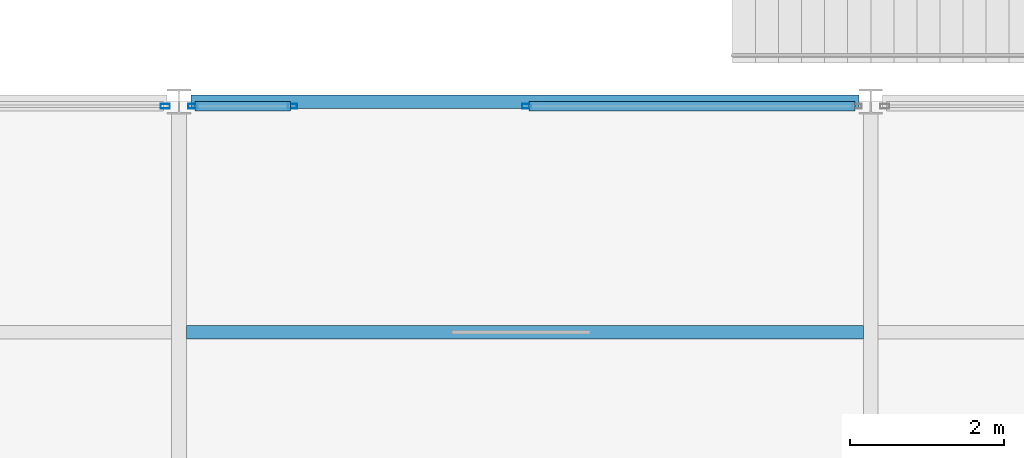
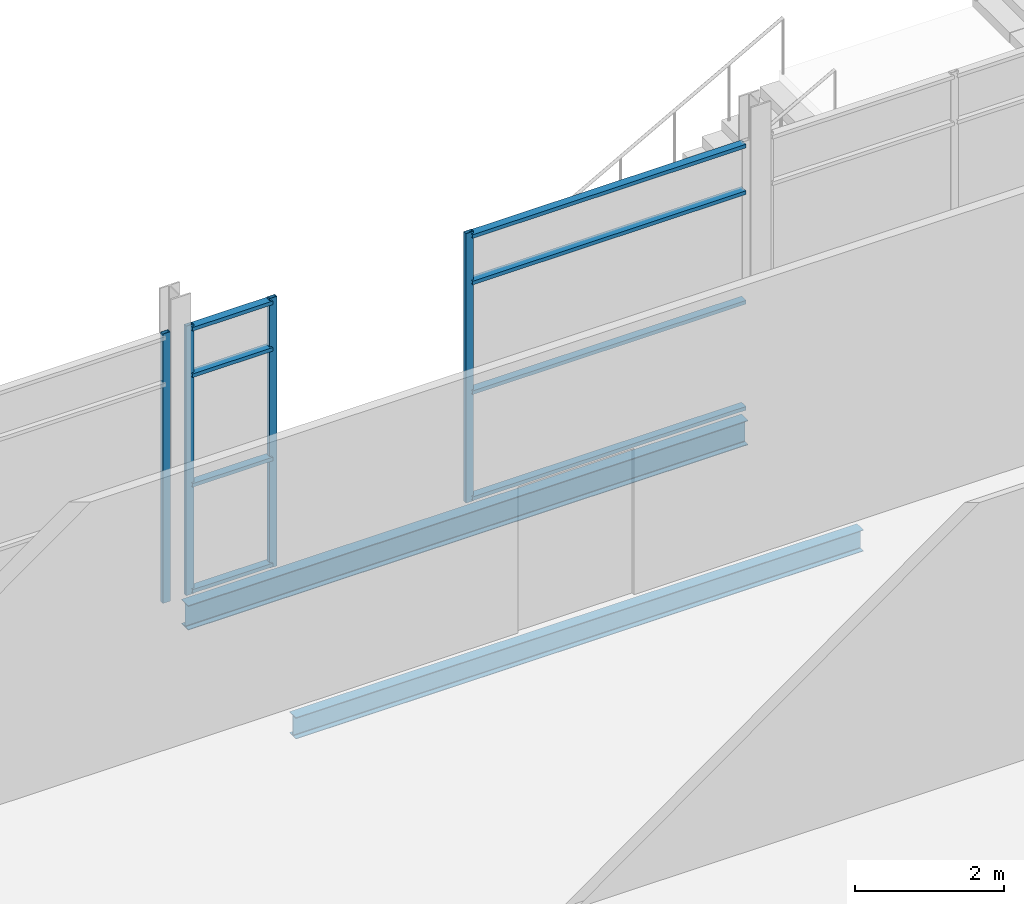
# One storey, part 24 of 112: 12 members, 2 beams, 3 elements without a shape of their own.
"""IFC4 building model written with IfcOpenShell, lengths in metres."""

from ifc_helpers import new_model, si_unit, direction, frame, origin, origin_2d, place, context, subcontext, project, spatial, hollow_rectangle, i_section, extrude, material, layer, layer_set, material_profile, profile_set, type_object, element, aggregate, save


model = new_model("IFC4")

# Units and contexts
model_context = context("Model", 3, precision=1e-05, world=origin(), true_north=direction((0.0, 1.0)))
body_context = subcontext(model_context, "Body", "Model", "MODEL_VIEW")
ifc_project = project(units=[si_unit("LENGTHUNIT", "METRE"), si_unit("AREAUNIT", "SQUARE_METRE"), si_unit("VOLUMEUNIT", "CUBIC_METRE"), si_unit("PLANEANGLEUNIT", "RADIAN"), si_unit("MASSUNIT", "GRAM", prefix="KILO")], contexts=[model_context])

# Site, building, storey
site_placement = place(None, origin())
site = spatial("IfcSite", under=ifc_project, at=site_placement, CompositionType="ELEMENT")
building_placement = place(site_placement, origin())
building = spatial("IfcBuilding", under=site, at=building_placement, Name="Shorebreak Coast Museum", CompositionType="ELEMENT")
storey_placement = place(building_placement, frame((0.0, 0.0, 6.0)))
storey = spatial("IfcBuildingStorey", under=building, at=storey_placement, Name="L01", CompositionType="ELEMENT", Elevation=6.0)

# Beams
ifc_material_1 = material(Name="Steel Grade 300", Category="steel")
ifc_material_profile_1 = material_profile(ifc_material_1, i_section(OverallWidth=0.177978515625, OverallDepth=0.402587890625, WebThickness=0.007568359375, FlangeThickness=0.010986328125, FilletRadius=0.011474609375, at=origin_2d()), Name="410UB53.7")
ifc_profile_set_1 = profile_set([ifc_material_profile_1], Name="Steel Grade 300")
beam_type_1 = type_object("IfcBeamType", Name="Floor girder east-west 410UB53.7", PredefinedType="BEAM", material=ifc_profile_set_1)
beam_1_placement = place(storey_placement, frame((81.155517578125, 63.0, -0.376220703125), z_axis=(1.0, 0.0, 0.0), x_axis=(0.0, 1.0, 0.0)))
element("IfcBeam", 1, at=beam_1_placement, inside=storey, type_object=beam_type_1, Name="Floor girder east-west L01 10H", PredefinedType="BEAM", context=body_context, shape_type="SweptSolid", body=[
    extrude(i_section(OverallWidth=0.177978515625, OverallDepth=0.402587890625, WebThickness=0.007568359375, FlangeThickness=0.010986328125, FilletRadius=0.011474609375, at=origin_2d()), origin(), (0.0, 0.0, 1.0), 8.68896484375),
])
ifc_material_2 = material(Name="Steel Grade 300", Category="steel")
ifc_material_profile_2 = material_profile(ifc_material_2, i_section(OverallWidth=0.1708984375, OverallDepth=0.35205078125, WebThickness=0.0068359375, FlangeThickness=0.009765625, FilletRadius=0.011474609375, at=origin_2d()), Name="360UB44.7")
ifc_profile_set_2 = profile_set([ifc_material_profile_2], Name="Steel Grade 300")
beam_type_2 = type_object("IfcBeamType", Name="Floor joist 360UB44.7", PredefinedType="JOIST", material=ifc_profile_set_2)
beam_2_placement = place(storey_placement, frame((81.095458984375, 60.0, -0.35107421875), z_axis=(1.0, 0.0, 0.0), x_axis=(0.0, 1.0, 0.0)))
element("IfcBeam", 2, at=beam_2_placement, inside=storey, type_object=beam_type_2, Name="Floor joist L01 bay 10G at 6000 mm", PredefinedType="JOIST", context=body_context, shape_type="SweptSolid", body=[
    extrude(i_section(OverallWidth=0.1708984375, OverallDepth=0.35205078125, WebThickness=0.0068359375, FlangeThickness=0.009765625, FilletRadius=0.011474609375, at=origin_2d()), origin(), (0.0, 0.0, 1.0), 8.80908203125),
])

# Curtain wall, member
ifc_material_3 = material(Name="Aluminium", Category="aluminium")
ifc_layer = layer(ifc_material_3, 0.1201171875)
ifc_layer_set = layer_set([ifc_layer], Name="Aluminium")
curtain_wall_type = type_object("IfcCurtainWallType", Name="Atrium fire screen", PredefinedType="NOTDEFINED", material=ifc_layer_set)
curtain_wall_1_placement = place(storey_placement, origin())
curtain_wall_1 = element("IfcCurtainWall", 3, at=curtain_wall_1_placement, inside=storey, type_object=curtain_wall_type, Name="Atrium screen L01 S 2", PredefinedType="NOTDEFINED")
ifc_material_4 = material(Name="Aluminium", Category="aluminium")
ifc_material_profile_3 = material_profile(ifc_material_4, hollow_rectangle(XDim=0.06005859375, YDim=0.1201171875, WallThickness=0.00341796875, at=origin_2d()), Name="AL 120x60 RHS")
ifc_profile_set_3 = profile_set([ifc_material_profile_3], Name="Aluminium")
member_type_1 = type_object("IfcMemberType", Name="Screen mullion 50 x 120", PredefinedType="MULLION", material=ifc_profile_set_3)
member_1_placement = place(storey_placement, frame((80.819580078125, 62.93994140625, 0.0), z_axis=(0.0, 0.0, 1.0), x_axis=(0.0, 1.0, 0.0)))
member_1 = element("IfcMember", 4, at=member_1_placement, type_object=member_type_1, Name="CW6 mullion 4", PredefinedType="MULLION", context=body_context, shape_type="SweptSolid", body=[
    extrude(hollow_rectangle(XDim=0.06005859375, YDim=0.1201171875, WallThickness=0.00341796875, at=origin_2d()), origin(), (0.0, 0.0, 1.0), 4.42236328125),
])
aggregate(curtain_wall_1, [member_1])

# Curtain wall, members
curtain_wall_2_placement = place(storey_placement, origin())
curtain_wall_2 = element("IfcCurtainWall", 5, at=curtain_wall_2_placement, inside=storey, type_object=curtain_wall_type, Name="Atrium screen L01 S 3", PredefinedType="NOTDEFINED")
member_2_placement = place(storey_placement, frame((81.180419921875, 62.93994140625, 0.0), z_axis=(0.0, 0.0, 1.0), x_axis=(0.0, 1.0, 0.0)))
member_2 = element("IfcMember", 6, at=member_2_placement, type_object=member_type_1, Name="CW4 mullion 1", PredefinedType="MULLION", context=body_context, shape_type="SweptSolid", body=[
    extrude(hollow_rectangle(XDim=0.06005859375, YDim=0.1201171875, WallThickness=0.00341796875, at=origin_2d()), origin(), (0.0, 0.0, 1.0), 4.42236328125),
])
member_3_placement = place(storey_placement, frame((82.47509765625, 62.93994140625, 0.0), z_axis=(0.0, 0.0, 1.0), x_axis=(0.0, 1.0, 0.0)))
member_3 = element("IfcMember", 7, at=member_3_placement, type_object=member_type_1, Name="CW4 mullion 2", PredefinedType="MULLION", context=body_context, shape_type="SweptSolid", body=[
    extrude(hollow_rectangle(XDim=0.06005859375, YDim=0.1201171875, WallThickness=0.00341796875, at=origin_2d()), origin(), (0.0, 0.0, 1.0), 4.42236328125),
])

# Curtain wall, member
curtain_wall_3_placement = place(storey_placement, origin())
curtain_wall_3 = element("IfcCurtainWall", 8, at=curtain_wall_3_placement, inside=storey, type_object=curtain_wall_type, Name="Atrium screen L01 S 4", PredefinedType="NOTDEFINED")
member_4_placement = place(storey_placement, frame((85.52490234375, 62.93994140625, 0.0), z_axis=(0.0, 0.0, 1.0), x_axis=(0.0, 1.0, 0.0)))
member_4 = element("IfcMember", 9, at=member_4_placement, type_object=member_type_1, Name="CW5 mullion 1", PredefinedType="MULLION", context=body_context, shape_type="SweptSolid", body=[
    extrude(hollow_rectangle(XDim=0.06005859375, YDim=0.1201171875, WallThickness=0.00341796875, at=origin_2d()), origin(), (0.0, 0.0, 1.0), 4.42236328125),
])

# Member
ifc_material_5 = material(Name="Aluminium", Category="aluminium")
ifc_material_profile_4 = material_profile(ifc_material_5, hollow_rectangle(XDim=0.1201171875, YDim=0.06005859375, WallThickness=0.00341796875, at=origin_2d()), Name="AL 60x120 RHS")
ifc_profile_set_4 = profile_set([ifc_material_profile_4], Name="Aluminium")
member_type_2 = type_object("IfcMemberType", Name="Screen transom 120 x 50", PredefinedType="USERDEFINED", material=ifc_profile_set_4)
member_5_placement = place(storey_placement, frame((81.20556640625, 62.93994140625, 0.06005859375), z_axis=(1.0, 0.0, 0.0), x_axis=(0.0, 1.0, 0.0)))
member_5 = element("IfcMember", 10, at=member_5_placement, type_object=member_type_2, Name="CW4 transom 1.1", ObjectType="TRANSOM", PredefinedType="USERDEFINED", context=body_context, shape_type="SweptSolid", body=[
    extrude(hollow_rectangle(XDim=0.1201171875, YDim=0.06005859375, WallThickness=0.00341796875, at=origin_2d()), origin(), (0.0, 0.0, 1.0), 1.244384765625),
])

member_6_placement = place(storey_placement, frame((81.20556640625, 62.93994140625, 1.800048828125), z_axis=(1.0, 0.0, 0.0), x_axis=(0.0, 1.0, 0.0)))
member_6 = element("IfcMember", 11, at=member_6_placement, type_object=member_type_2, Name="CW4 transom 1.2", ObjectType="TRANSOM", PredefinedType="USERDEFINED", context=body_context, shape_type="SweptSolid", body=[
    extrude(hollow_rectangle(XDim=0.1201171875, YDim=0.06005859375, WallThickness=0.00341796875, at=origin_2d()), origin(), (0.0, 0.0, 1.0), 1.244384765625),
])

member_7_placement = place(storey_placement, frame((81.20556640625, 62.93994140625, 3.60009765625), z_axis=(1.0, 0.0, 0.0), x_axis=(0.0, 1.0, 0.0)))
member_7 = element("IfcMember", 12, at=member_7_placement, type_object=member_type_2, Name="CW4 transom 1.3", ObjectType="TRANSOM", PredefinedType="USERDEFINED", context=body_context, shape_type="SweptSolid", body=[
    extrude(hollow_rectangle(XDim=0.1201171875, YDim=0.06005859375, WallThickness=0.00341796875, at=origin_2d()), origin(), (0.0, 0.0, 1.0), 1.244384765625),
])

member_8_placement = place(storey_placement, frame((81.20556640625, 62.93994140625, 4.3623046875), z_axis=(1.0, 0.0, 0.0), x_axis=(0.0, 1.0, 0.0)))
member_8 = element("IfcMember", 13, at=member_8_placement, type_object=member_type_2, Name="CW4 transom 1.4", ObjectType="TRANSOM", PredefinedType="USERDEFINED", context=body_context, shape_type="SweptSolid", body=[
    extrude(hollow_rectangle(XDim=0.1201171875, YDim=0.06005859375, WallThickness=0.00341796875, at=origin_2d()), origin(), (0.0, 0.0, 1.0), 1.244384765625),
])

aggregate(curtain_wall_2, [member_2, member_3, member_5, member_6, member_7, member_8])

member_9_placement = place(storey_placement, frame((85.550048828125, 62.93994140625, 0.06005859375), z_axis=(1.0, 0.0, 0.0), x_axis=(0.0, 1.0, 0.0)))
member_9 = element("IfcMember", 14, at=member_9_placement, type_object=member_type_2, Name="CW5 transom 1.1", ObjectType="TRANSOM", PredefinedType="USERDEFINED", context=body_context, shape_type="SweptSolid", body=[
    extrude(hollow_rectangle(XDim=0.1201171875, YDim=0.06005859375, WallThickness=0.00341796875, at=origin_2d()), origin(), (0.0, 0.0, 1.0), 4.244384765625),
])

member_10_placement = place(storey_placement, frame((85.550048828125, 62.93994140625, 1.800048828125), z_axis=(1.0, 0.0, 0.0), x_axis=(0.0, 1.0, 0.0)))
member_10 = element("IfcMember", 15, at=member_10_placement, type_object=member_type_2, Name="CW5 transom 1.2", ObjectType="TRANSOM", PredefinedType="USERDEFINED", context=body_context, shape_type="SweptSolid", body=[
    extrude(hollow_rectangle(XDim=0.1201171875, YDim=0.06005859375, WallThickness=0.00341796875, at=origin_2d()), origin(), (0.0, 0.0, 1.0), 4.244384765625),
])

member_11_placement = place(storey_placement, frame((85.550048828125, 62.93994140625, 3.60009765625), z_axis=(1.0, 0.0, 0.0), x_axis=(0.0, 1.0, 0.0)))
member_11 = element("IfcMember", 16, at=member_11_placement, type_object=member_type_2, Name="CW5 transom 1.3", ObjectType="TRANSOM", PredefinedType="USERDEFINED", context=body_context, shape_type="SweptSolid", body=[
    extrude(hollow_rectangle(XDim=0.1201171875, YDim=0.06005859375, WallThickness=0.00341796875, at=origin_2d()), origin(), (0.0, 0.0, 1.0), 4.244384765625),
])

member_12_placement = place(storey_placement, frame((85.550048828125, 62.93994140625, 4.3623046875), z_axis=(1.0, 0.0, 0.0), x_axis=(0.0, 1.0, 0.0)))
member_12 = element("IfcMember", 17, at=member_12_placement, type_object=member_type_2, Name="CW5 transom 1.4", ObjectType="TRANSOM", PredefinedType="USERDEFINED", context=body_context, shape_type="SweptSolid", body=[
    extrude(hollow_rectangle(XDim=0.1201171875, YDim=0.06005859375, WallThickness=0.00341796875, at=origin_2d()), origin(), (0.0, 0.0, 1.0), 4.244384765625),
])

aggregate(curtain_wall_3, [member_4, member_9, member_10, member_11, member_12])

save(model, "model.ifc")
